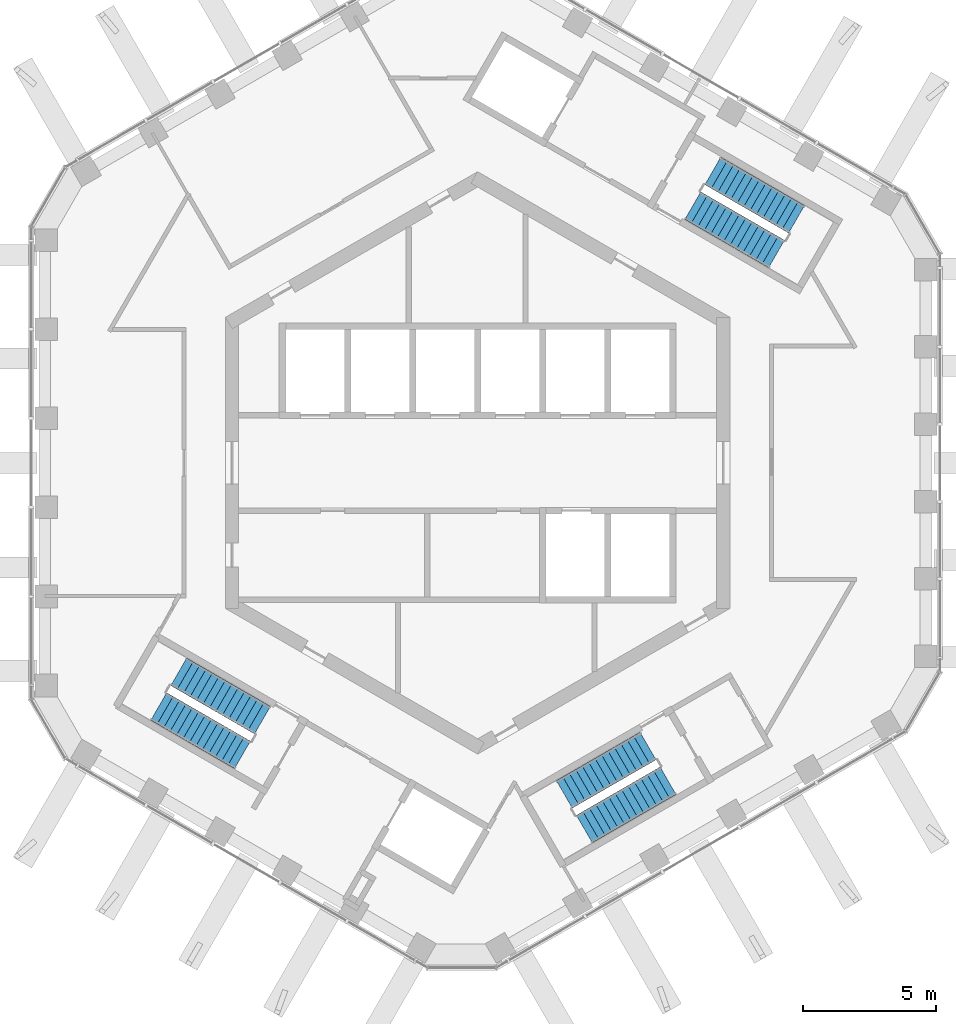
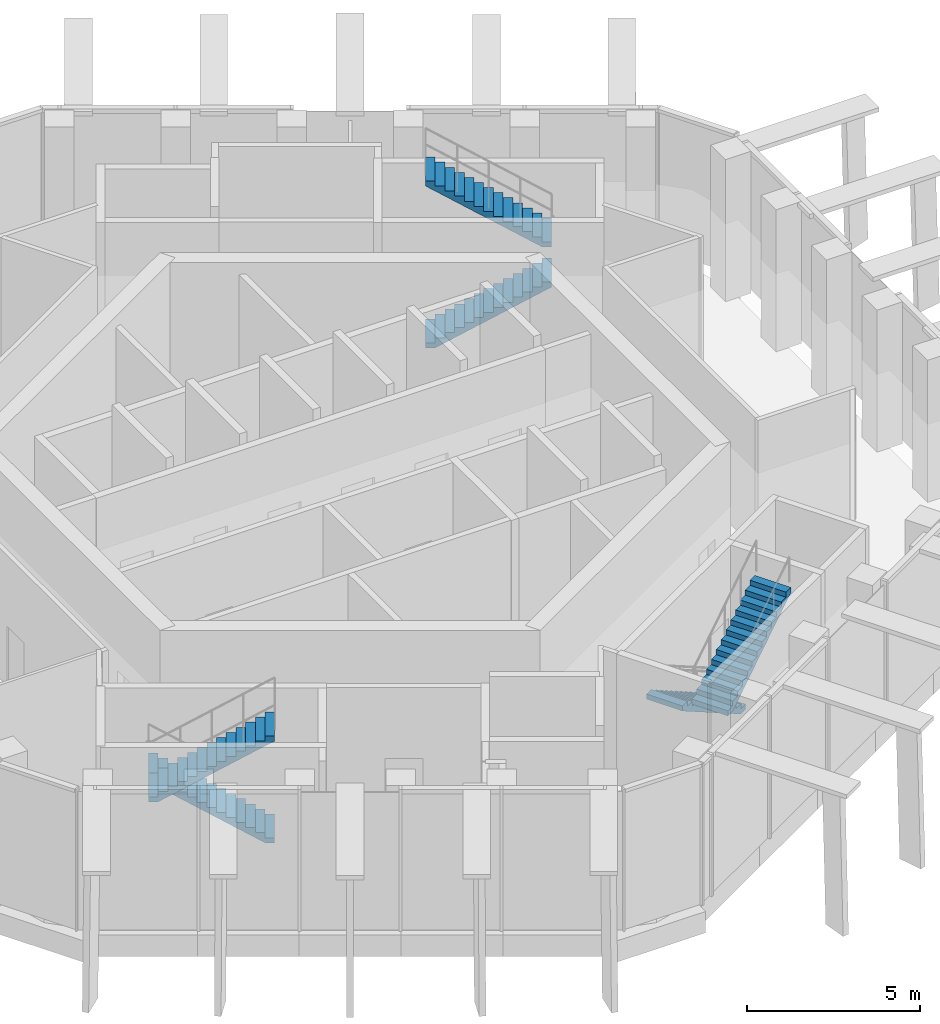
# One storey, part 14 of 17: 6 stair flights, 3 elements without a shape of their own.
"""IFC4 building model written with IfcOpenShell, lengths in metres."""

from ifc_helpers import new_model, si_unit, direction, frame, origin, place, context, subcontext, project, spatial, triangles, material, type_object, element, aggregate, save


model = new_model("IFC4")

# Units and contexts
model_context = context("Model", 3, precision=1e-05, world=origin(), true_north=direction((0.0, 1.0)))
body_context = subcontext(model_context, "Body", "Model", "MODEL_VIEW")
ifc_project = project(units=[si_unit("LENGTHUNIT", "METRE"), si_unit("AREAUNIT", "SQUARE_METRE"), si_unit("VOLUMEUNIT", "CUBIC_METRE"), si_unit("PLANEANGLEUNIT", "RADIAN"), si_unit("MASSUNIT", "GRAM", prefix="KILO")], contexts=[model_context])

# Site, building, storey
site_placement = place(None, origin())
site = spatial("IfcSite", under=ifc_project, at=site_placement, CompositionType="ELEMENT")
building_placement = place(site_placement, origin())
building = spatial("IfcBuilding", under=site, at=building_placement, Name="Ayvan Gate Tower", CompositionType="ELEMENT")
storey_placement = place(building_placement, frame((0.0, 0.0, 252.89990234375)))
storey = spatial("IfcBuildingStorey", under=building, at=storey_placement, Name="L68", CompositionType="ELEMENT", Elevation=252.89990234375)

# Stair, stair flights
ifc_material = material(Name="Concrete C40/50", Category="concrete")
stair_type = type_object("IfcStairType", Name="ST-EXIT", PredefinedType="HALF_TURN_STAIR", material=ifc_material)
stair_1_placement = place(storey_placement, origin())
stair_1 = element("IfcStair", 1, at=stair_1_placement, inside=storey, type_object=stair_type, Name="L68 Exit Stair S1", PredefinedType="HALF_TURN_STAIR")
stair_flight_type = type_object("IfcStairFlightType", Name="SFL-EXIT", PredefinedType="STRAIGHT", material=ifc_material)
stair_flight_1_placement = place(storey_placement, frame((8.106201171875, 9.690185546875, 0.0), z_axis=(0.0, 0.0, 1.0), x_axis=(0.866025403784, -0.5, 0.0)))
stair_flight_1 = element("IfcStairFlight", 2, at=stair_flight_1_placement, type_object=stair_flight_type, Name="STS1 flight 1", NumberOfRisers=14, NumberOfTreads=13, PredefinedType="STRAIGHT", RiserHeight=0.178571429, TreadLength=0.28, context=body_context, shape_type="Tessellation", body=[
    triangles([(0.278779, -0.599976, 0.0), (3.6405, -0.599976, 2.143955), (3.6405, -0.599976, 2.321429), (3.36, -0.599976, 2.321429), (3.36, -0.599976, 2.142857), (3.08, -0.599976, 2.142857), (3.08, -0.599976, 1.964286), (2.8, -0.599976, 1.964286), (2.8, -0.599976, 1.785714), (2.52, -0.599976, 1.785714), (2.52, -0.599976, 1.607143), (2.24, -0.599976, 1.607143), (2.24, -0.599976, 1.428571), (1.96, -0.599976, 1.428571), (1.96, -0.599976, 1.25), (1.68, -0.599976, 1.25), (1.68, -0.599976, 1.071429), (1.4, -0.599976, 1.071429), (1.4, -0.599976, 0.892857), (1.12, -0.599976, 0.892857), (1.12, -0.599976, 0.714286), (0.84, -0.599976, 0.714286), (0.84, -0.599976, 0.535714), (0.56, -0.599976, 0.535714), (0.56, -0.599976, 0.357143), (0.28, -0.599976, 0.357143), (0.28, -0.599976, 0.178571), (-0.0005, -0.599976, 0.178571), (-0.0005, -0.599976, 0.0), (0.278779, 0.0, 0.0), (3.6405, 0.0, 2.143955), (3.6405, 0.0, 2.321429), (3.36, 0.0, 2.321429), (3.36, 0.0, 2.142857), (3.08, 0.0, 2.142857), (3.08, 0.0, 1.964286), (2.8, 0.0, 1.964286), (2.8, 0.0, 1.785714), (2.52, 0.0, 1.785714), (2.52, 0.0, 1.607143), (2.24, 0.0, 1.607143), (2.24, 0.0, 1.428571), (1.96, 0.0, 1.428571), (1.96, 0.0, 1.25), (1.68, 0.0, 1.25), (1.68, 0.0, 1.071429), (1.4, 0.0, 1.071429), (1.4, 0.0, 0.892857), (1.12, 0.0, 0.892857), (1.12, 0.0, 0.714286), (0.84, 0.0, 0.714286), (0.84, 0.0, 0.535714), (0.56, 0.0, 0.535714), (0.56, 0.0, 0.357143), (0.28, 0.0, 0.357143), (0.28, 0.0, 0.178571), (-0.0005, 0.0, 0.178571), (-0.0005, 0.0, 0.0), (0.278779, 0.599976, 0.0), (3.6405, 0.599976, 2.143955), (3.6405, 0.599976, 2.321429), (3.36, 0.599976, 2.321429), (3.36, 0.599976, 2.142857), (3.08, 0.599976, 2.142857), (3.08, 0.599976, 1.964286), (2.8, 0.599976, 1.964286), (2.8, 0.599976, 1.785714), (2.52, 0.599976, 1.785714), (2.52, 0.599976, 1.607143), (2.24, 0.599976, 1.607143), (2.24, 0.599976, 1.428571), (1.96, 0.599976, 1.428571), (1.96, 0.599976, 1.25), (1.68, 0.599976, 1.25), (1.68, 0.599976, 1.071429), (1.4, 0.599976, 1.071429), (1.4, 0.599976, 0.892857), (1.12, 0.599976, 0.892857), (1.12, 0.599976, 0.714286), (0.84, 0.599976, 0.714286), (0.84, 0.599976, 0.535714), (0.56, 0.599976, 0.535714), (0.56, 0.599976, 0.357143), (0.28, 0.599976, 0.357143), (0.28, 0.599976, 0.178571), (-0.0005, 0.599976, 0.178571), (-0.0005, 0.599976, 0.0)], [[29, 1, 2], [87, 60, 59], [2, 3, 4], [60, 62, 61], [2, 4, 5], [60, 63, 62], [5, 6, 7], [63, 65, 64], [2, 5, 7], [60, 65, 63], [7, 8, 9], [65, 67, 66], [2, 7, 9], [60, 67, 65], [9, 10, 11], [67, 69, 68], [2, 9, 11], [60, 69, 67], [11, 12, 13], [69, 71, 70], [2, 11, 13], [60, 71, 69], [13, 14, 15], [71, 73, 72], [2, 13, 15], [60, 73, 71], [15, 16, 17], [73, 75, 74], [2, 15, 17], [60, 75, 73], [17, 18, 19], [75, 77, 76], [2, 17, 19], [60, 77, 75], [19, 20, 21], [77, 79, 78], [2, 19, 21], [60, 79, 77], [21, 22, 23], [79, 81, 80], [2, 21, 23], [60, 81, 79], [23, 24, 25], [81, 83, 82], [2, 23, 25], [60, 83, 81], [25, 26, 27], [83, 85, 84], [2, 25, 27], [60, 85, 83], [29, 2, 27], [87, 85, 60], [27, 28, 29], [85, 87, 86], [1, 30, 31], [1, 31, 2], [59, 31, 30], [59, 60, 31], [2, 31, 32], [2, 32, 3], [60, 32, 31], [60, 61, 32], [3, 32, 33], [3, 33, 4], [61, 33, 32], [61, 62, 33], [4, 33, 34], [4, 34, 5], [62, 34, 33], [62, 63, 34], [5, 34, 35], [5, 35, 6], [63, 35, 34], [63, 64, 35], [6, 35, 36], [6, 36, 7], [64, 36, 35], [64, 65, 36], [7, 36, 37], [7, 37, 8], [65, 37, 36], [65, 66, 37], [8, 37, 38], [8, 38, 9], [66, 38, 37], [66, 67, 38], [9, 38, 39], [9, 39, 10], [67, 39, 38], [67, 68, 39], [10, 39, 40], [10, 40, 11], [68, 40, 39], [68, 69, 40], [11, 40, 41], [11, 41, 12], [69, 41, 40], [69, 70, 41], [12, 41, 42], [12, 42, 13], [70, 42, 41], [70, 71, 42], [13, 42, 43], [13, 43, 14], [71, 43, 42], [71, 72, 43], [14, 43, 44], [14, 44, 15], [72, 44, 43], [72, 73, 44], [15, 44, 45], [15, 45, 16], [73, 45, 44], [73, 74, 45], [16, 45, 46], [16, 46, 17], [74, 46, 45], [74, 75, 46], [17, 46, 47], [17, 47, 18], [75, 47, 46], [75, 76, 47], [18, 47, 48], [18, 48, 19], [76, 48, 47], [76, 77, 48], [19, 48, 49], [19, 49, 20], [77, 49, 48], [77, 78, 49], [20, 49, 50], [20, 50, 21], [78, 50, 49], [78, 79, 50], [21, 50, 51], [21, 51, 22], [79, 51, 50], [79, 80, 51], [22, 51, 52], [22, 52, 23], [80, 52, 51], [80, 81, 52], [23, 52, 53], [23, 53, 24], [81, 53, 52], [81, 82, 53], [24, 53, 54], [24, 54, 25], [82, 54, 53], [82, 83, 54], [25, 54, 55], [25, 55, 26], [83, 55, 54], [83, 84, 55], [26, 55, 56], [26, 56, 27], [84, 56, 55], [84, 85, 56], [27, 56, 57], [27, 57, 28], [85, 57, 56], [85, 86, 57], [28, 57, 58], [28, 58, 29], [86, 58, 57], [86, 87, 58], [29, 58, 30], [29, 30, 1], [87, 30, 58], [87, 59, 30]], closed=True),
])
stair_flight_2_placement = place(storey_placement, frame((12.013427734375, 9.177978515625, 2.5), z_axis=(0.0, 0.0, 1.0), x_axis=(-0.866025403784, 0.5, 0.0)))
stair_flight_2 = element("IfcStairFlight", 3, at=stair_flight_2_placement, type_object=stair_flight_type, Name="STS1 flight 2", NumberOfRisers=14, NumberOfTreads=13, PredefinedType="STRAIGHT", RiserHeight=0.178571429, TreadLength=0.28, context=body_context, shape_type="Tessellation", body=[
    triangles([(0.278779, -0.599976, 0.0), (3.6405, -0.599976, 2.143955), (3.6405, -0.599976, 2.321429), (3.36, -0.599976, 2.321429), (3.36, -0.599976, 2.142857), (3.08, -0.599976, 2.142857), (3.08, -0.599976, 1.964286), (2.8, -0.599976, 1.964286), (2.8, -0.599976, 1.785714), (2.52, -0.599976, 1.785714), (2.52, -0.599976, 1.607143), (2.24, -0.599976, 1.607143), (2.24, -0.599976, 1.428571), (1.96, -0.599976, 1.428571), (1.96, -0.599976, 1.25), (1.68, -0.599976, 1.25), (1.68, -0.599976, 1.071429), (1.4, -0.599976, 1.071429), (1.4, -0.599976, 0.892857), (1.12, -0.599976, 0.892857), (1.12, -0.599976, 0.714286), (0.84, -0.599976, 0.714286), (0.84, -0.599976, 0.535714), (0.56, -0.599976, 0.535714), (0.56, -0.599976, 0.357143), (0.28, -0.599976, 0.357143), (0.28, -0.599976, 0.178571), (-0.0005, -0.599976, 0.178571), (-0.0005, -0.599976, 0.0), (0.278779, 0.0, 0.0), (3.6405, 0.0, 2.143955), (3.6405, 0.0, 2.321429), (3.36, 0.0, 2.321429), (3.36, 0.0, 2.142857), (3.08, 0.0, 2.142857), (3.08, 0.0, 1.964286), (2.8, 0.0, 1.964286), (2.8, 0.0, 1.785714), (2.52, 0.0, 1.785714), (2.52, 0.0, 1.607143), (2.24, 0.0, 1.607143), (2.24, 0.0, 1.428571), (1.96, 0.0, 1.428571), (1.96, 0.0, 1.25), (1.68, 0.0, 1.25), (1.68, 0.0, 1.071429), (1.4, 0.0, 1.071429), (1.4, 0.0, 0.892857), (1.12, 0.0, 0.892857), (1.12, 0.0, 0.714286), (0.84, 0.0, 0.714286), (0.84, 0.0, 0.535714), (0.56, 0.0, 0.535714), (0.56, 0.0, 0.357143), (0.28, 0.0, 0.357143), (0.28, 0.0, 0.178571), (-0.0005, 0.0, 0.178571), (-0.0005, 0.0, 0.0), (0.278779, 0.599976, 0.0), (3.6405, 0.599976, 2.143955), (3.6405, 0.599976, 2.321429), (3.36, 0.599976, 2.321429), (3.36, 0.599976, 2.142857), (3.08, 0.599976, 2.142857), (3.08, 0.599976, 1.964286), (2.8, 0.599976, 1.964286), (2.8, 0.599976, 1.785714), (2.52, 0.599976, 1.785714), (2.52, 0.599976, 1.607143), (2.24, 0.599976, 1.607143), (2.24, 0.599976, 1.428571), (1.96, 0.599976, 1.428571), (1.96, 0.599976, 1.25), (1.68, 0.599976, 1.25), (1.68, 0.599976, 1.071429), (1.4, 0.599976, 1.071429), (1.4, 0.599976, 0.892857), (1.12, 0.599976, 0.892857), (1.12, 0.599976, 0.714286), (0.84, 0.599976, 0.714286), (0.84, 0.599976, 0.535714), (0.56, 0.599976, 0.535714), (0.56, 0.599976, 0.357143), (0.28, 0.599976, 0.357143), (0.28, 0.599976, 0.178571), (-0.0005, 0.599976, 0.178571), (-0.0005, 0.599976, 0.0)], [[29, 1, 2], [87, 60, 59], [2, 3, 4], [60, 62, 61], [2, 4, 5], [60, 63, 62], [5, 6, 7], [63, 65, 64], [2, 5, 7], [60, 65, 63], [7, 8, 9], [65, 67, 66], [2, 7, 9], [60, 67, 65], [9, 10, 11], [67, 69, 68], [2, 9, 11], [60, 69, 67], [11, 12, 13], [69, 71, 70], [2, 11, 13], [60, 71, 69], [13, 14, 15], [71, 73, 72], [2, 13, 15], [60, 73, 71], [15, 16, 17], [73, 75, 74], [2, 15, 17], [60, 75, 73], [17, 18, 19], [75, 77, 76], [2, 17, 19], [60, 77, 75], [19, 20, 21], [77, 79, 78], [2, 19, 21], [60, 79, 77], [21, 22, 23], [79, 81, 80], [2, 21, 23], [60, 81, 79], [23, 24, 25], [81, 83, 82], [2, 23, 25], [60, 83, 81], [25, 26, 27], [83, 85, 84], [2, 25, 27], [60, 85, 83], [29, 2, 27], [87, 85, 60], [27, 28, 29], [85, 87, 86], [1, 30, 31], [1, 31, 2], [59, 31, 30], [59, 60, 31], [2, 31, 32], [2, 32, 3], [60, 32, 31], [60, 61, 32], [3, 32, 33], [3, 33, 4], [61, 33, 32], [61, 62, 33], [4, 33, 34], [4, 34, 5], [62, 34, 33], [62, 63, 34], [5, 34, 35], [5, 35, 6], [63, 35, 34], [63, 64, 35], [6, 35, 36], [6, 36, 7], [64, 36, 35], [64, 65, 36], [7, 36, 37], [7, 37, 8], [65, 37, 36], [65, 66, 37], [8, 37, 38], [8, 38, 9], [66, 38, 37], [66, 67, 38], [9, 38, 39], [9, 39, 10], [67, 39, 38], [67, 68, 39], [10, 39, 40], [10, 40, 11], [68, 40, 39], [68, 69, 40], [11, 40, 41], [11, 41, 12], [69, 41, 40], [69, 70, 41], [12, 41, 42], [12, 42, 13], [70, 42, 41], [70, 71, 42], [13, 42, 43], [13, 43, 14], [71, 43, 42], [71, 72, 43], [14, 43, 44], [14, 44, 15], [72, 44, 43], [72, 73, 44], [15, 44, 45], [15, 45, 16], [73, 45, 44], [73, 74, 45], [16, 45, 46], [16, 46, 17], [74, 46, 45], [74, 75, 46], [17, 46, 47], [17, 47, 18], [75, 47, 46], [75, 76, 47], [18, 47, 48], [18, 48, 19], [76, 48, 47], [76, 77, 48], [19, 48, 49], [19, 49, 20], [77, 49, 48], [77, 78, 49], [20, 49, 50], [20, 50, 21], [78, 50, 49], [78, 79, 50], [21, 50, 51], [21, 51, 22], [79, 51, 50], [79, 80, 51], [22, 51, 52], [22, 52, 23], [80, 52, 51], [80, 81, 52], [23, 52, 53], [23, 53, 24], [81, 53, 52], [81, 82, 53], [24, 53, 54], [24, 54, 25], [82, 54, 53], [82, 83, 54], [25, 54, 55], [25, 55, 26], [83, 55, 54], [83, 84, 55], [26, 55, 56], [26, 56, 27], [84, 56, 55], [84, 85, 56], [27, 56, 57], [27, 57, 28], [85, 57, 56], [85, 86, 57], [28, 57, 58], [28, 58, 29], [86, 58, 57], [86, 87, 58], [29, 58, 30], [29, 30, 1], [87, 30, 58], [87, 59, 30]], closed=True),
])
aggregate(stair_1, [stair_flight_1, stair_flight_2])

stair_2_placement = place(storey_placement, origin())
stair_2 = element("IfcStair", 4, at=stair_2_placement, inside=storey, type_object=stair_type, Name="L68 Exit Stair S2", PredefinedType="HALF_TURN_STAIR")
stair_flight_3_placement = place(storey_placement, frame((-8.106201171875, -9.690185546875, 0.0), z_axis=(0.0, 0.0, 1.0), x_axis=(-0.866025403784, 0.5, 0.0)))
stair_flight_3 = element("IfcStairFlight", 5, at=stair_flight_3_placement, type_object=stair_flight_type, Name="STS2 flight 1", NumberOfRisers=14, NumberOfTreads=13, PredefinedType="STRAIGHT", RiserHeight=0.178571429, TreadLength=0.28, context=body_context, shape_type="Tessellation", body=[
    triangles([(0.278779, -0.599976, 0.0), (3.6405, -0.599976, 2.143955), (3.6405, -0.599976, 2.321429), (3.36, -0.599976, 2.321429), (3.36, -0.599976, 2.142857), (3.08, -0.599976, 2.142857), (3.08, -0.599976, 1.964286), (2.8, -0.599976, 1.964286), (2.8, -0.599976, 1.785714), (2.52, -0.599976, 1.785714), (2.52, -0.599976, 1.607143), (2.24, -0.599976, 1.607143), (2.24, -0.599976, 1.428571), (1.96, -0.599976, 1.428571), (1.96, -0.599976, 1.25), (1.68, -0.599976, 1.25), (1.68, -0.599976, 1.071429), (1.4, -0.599976, 1.071429), (1.4, -0.599976, 0.892857), (1.12, -0.599976, 0.892857), (1.12, -0.599976, 0.714286), (0.84, -0.599976, 0.714286), (0.84, -0.599976, 0.535714), (0.56, -0.599976, 0.535714), (0.56, -0.599976, 0.357143), (0.28, -0.599976, 0.357143), (0.28, -0.599976, 0.178571), (-0.0005, -0.599976, 0.178571), (-0.0005, -0.599976, 0.0), (0.278779, 0.0, 0.0), (3.6405, 0.0, 2.143955), (3.6405, 0.0, 2.321429), (3.36, 0.0, 2.321429), (3.36, 0.0, 2.142857), (3.08, 0.0, 2.142857), (3.08, 0.0, 1.964286), (2.8, 0.0, 1.964286), (2.8, 0.0, 1.785714), (2.52, 0.0, 1.785714), (2.52, 0.0, 1.607143), (2.24, 0.0, 1.607143), (2.24, 0.0, 1.428571), (1.96, 0.0, 1.428571), (1.96, 0.0, 1.25), (1.68, 0.0, 1.25), (1.68, 0.0, 1.071429), (1.4, 0.0, 1.071429), (1.4, 0.0, 0.892857), (1.12, 0.0, 0.892857), (1.12, 0.0, 0.714286), (0.84, 0.0, 0.714286), (0.84, 0.0, 0.535714), (0.56, 0.0, 0.535714), (0.56, 0.0, 0.357143), (0.28, 0.0, 0.357143), (0.28, 0.0, 0.178571), (-0.0005, 0.0, 0.178571), (-0.0005, 0.0, 0.0), (0.278779, 0.599976, 0.0), (3.6405, 0.599976, 2.143955), (3.6405, 0.599976, 2.321429), (3.36, 0.599976, 2.321429), (3.36, 0.599976, 2.142857), (3.08, 0.599976, 2.142857), (3.08, 0.599976, 1.964286), (2.8, 0.599976, 1.964286), (2.8, 0.599976, 1.785714), (2.52, 0.599976, 1.785714), (2.52, 0.599976, 1.607143), (2.24, 0.599976, 1.607143), (2.24, 0.599976, 1.428571), (1.96, 0.599976, 1.428571), (1.96, 0.599976, 1.25), (1.68, 0.599976, 1.25), (1.68, 0.599976, 1.071429), (1.4, 0.599976, 1.071429), (1.4, 0.599976, 0.892857), (1.12, 0.599976, 0.892857), (1.12, 0.599976, 0.714286), (0.84, 0.599976, 0.714286), (0.84, 0.599976, 0.535714), (0.56, 0.599976, 0.535714), (0.56, 0.599976, 0.357143), (0.28, 0.599976, 0.357143), (0.28, 0.599976, 0.178571), (-0.0005, 0.599976, 0.178571), (-0.0005, 0.599976, 0.0)], [[29, 1, 2], [87, 60, 59], [2, 3, 4], [60, 62, 61], [2, 4, 5], [60, 63, 62], [5, 6, 7], [63, 65, 64], [2, 5, 7], [60, 65, 63], [7, 8, 9], [65, 67, 66], [2, 7, 9], [60, 67, 65], [9, 10, 11], [67, 69, 68], [2, 9, 11], [60, 69, 67], [11, 12, 13], [69, 71, 70], [2, 11, 13], [60, 71, 69], [13, 14, 15], [71, 73, 72], [2, 13, 15], [60, 73, 71], [15, 16, 17], [73, 75, 74], [2, 15, 17], [60, 75, 73], [17, 18, 19], [75, 77, 76], [2, 17, 19], [60, 77, 75], [19, 20, 21], [77, 79, 78], [2, 19, 21], [60, 79, 77], [21, 22, 23], [79, 81, 80], [2, 21, 23], [60, 81, 79], [23, 24, 25], [81, 83, 82], [2, 23, 25], [60, 83, 81], [25, 26, 27], [83, 85, 84], [2, 25, 27], [60, 85, 83], [29, 2, 27], [87, 85, 60], [27, 28, 29], [85, 87, 86], [1, 30, 31], [1, 31, 2], [59, 31, 30], [59, 60, 31], [2, 31, 32], [2, 32, 3], [60, 32, 31], [60, 61, 32], [3, 32, 33], [3, 33, 4], [61, 33, 32], [61, 62, 33], [4, 33, 34], [4, 34, 5], [62, 34, 33], [62, 63, 34], [5, 34, 35], [5, 35, 6], [63, 35, 34], [63, 64, 35], [6, 35, 36], [6, 36, 7], [64, 36, 35], [64, 65, 36], [7, 36, 37], [7, 37, 8], [65, 37, 36], [65, 66, 37], [8, 37, 38], [8, 38, 9], [66, 38, 37], [66, 67, 38], [9, 38, 39], [9, 39, 10], [67, 39, 38], [67, 68, 39], [10, 39, 40], [10, 40, 11], [68, 40, 39], [68, 69, 40], [11, 40, 41], [11, 41, 12], [69, 41, 40], [69, 70, 41], [12, 41, 42], [12, 42, 13], [70, 42, 41], [70, 71, 42], [13, 42, 43], [13, 43, 14], [71, 43, 42], [71, 72, 43], [14, 43, 44], [14, 44, 15], [72, 44, 43], [72, 73, 44], [15, 44, 45], [15, 45, 16], [73, 45, 44], [73, 74, 45], [16, 45, 46], [16, 46, 17], [74, 46, 45], [74, 75, 46], [17, 46, 47], [17, 47, 18], [75, 47, 46], [75, 76, 47], [18, 47, 48], [18, 48, 19], [76, 48, 47], [76, 77, 48], [19, 48, 49], [19, 49, 20], [77, 49, 48], [77, 78, 49], [20, 49, 50], [20, 50, 21], [78, 50, 49], [78, 79, 50], [21, 50, 51], [21, 51, 22], [79, 51, 50], [79, 80, 51], [22, 51, 52], [22, 52, 23], [80, 52, 51], [80, 81, 52], [23, 52, 53], [23, 53, 24], [81, 53, 52], [81, 82, 53], [24, 53, 54], [24, 54, 25], [82, 54, 53], [82, 83, 54], [25, 54, 55], [25, 55, 26], [83, 55, 54], [83, 84, 55], [26, 55, 56], [26, 56, 27], [84, 56, 55], [84, 85, 56], [27, 56, 57], [27, 57, 28], [85, 57, 56], [85, 86, 57], [28, 57, 58], [28, 58, 29], [86, 58, 57], [86, 87, 58], [29, 58, 30], [29, 30, 1], [87, 30, 58], [87, 59, 30]], closed=True),
])
stair_flight_4_placement = place(storey_placement, frame((-12.013427734375, -9.177978515625, 2.5), z_axis=(0.0, 0.0, 1.0), x_axis=(0.866025403784, -0.5, 0.0)))
stair_flight_4 = element("IfcStairFlight", 6, at=stair_flight_4_placement, type_object=stair_flight_type, Name="STS2 flight 2", NumberOfRisers=14, NumberOfTreads=13, PredefinedType="STRAIGHT", RiserHeight=0.178571429, TreadLength=0.28, context=body_context, shape_type="Tessellation", body=[
    triangles([(0.278779, -0.599976, 0.0), (3.6405, -0.599976, 2.143955), (3.6405, -0.599976, 2.321429), (3.36, -0.599976, 2.321429), (3.36, -0.599976, 2.142857), (3.08, -0.599976, 2.142857), (3.08, -0.599976, 1.964286), (2.8, -0.599976, 1.964286), (2.8, -0.599976, 1.785714), (2.52, -0.599976, 1.785714), (2.52, -0.599976, 1.607143), (2.24, -0.599976, 1.607143), (2.24, -0.599976, 1.428571), (1.96, -0.599976, 1.428571), (1.96, -0.599976, 1.25), (1.68, -0.599976, 1.25), (1.68, -0.599976, 1.071429), (1.4, -0.599976, 1.071429), (1.4, -0.599976, 0.892857), (1.12, -0.599976, 0.892857), (1.12, -0.599976, 0.714286), (0.84, -0.599976, 0.714286), (0.84, -0.599976, 0.535714), (0.56, -0.599976, 0.535714), (0.56, -0.599976, 0.357143), (0.28, -0.599976, 0.357143), (0.28, -0.599976, 0.178571), (-0.0005, -0.599976, 0.178571), (-0.0005, -0.599976, 0.0), (0.278779, 0.0, 0.0), (3.6405, 0.0, 2.143955), (3.6405, 0.0, 2.321429), (3.36, 0.0, 2.321429), (3.36, 0.0, 2.142857), (3.08, 0.0, 2.142857), (3.08, 0.0, 1.964286), (2.8, 0.0, 1.964286), (2.8, 0.0, 1.785714), (2.52, 0.0, 1.785714), (2.52, 0.0, 1.607143), (2.24, 0.0, 1.607143), (2.24, 0.0, 1.428571), (1.96, 0.0, 1.428571), (1.96, 0.0, 1.25), (1.68, 0.0, 1.25), (1.68, 0.0, 1.071429), (1.4, 0.0, 1.071429), (1.4, 0.0, 0.892857), (1.12, 0.0, 0.892857), (1.12, 0.0, 0.714286), (0.84, 0.0, 0.714286), (0.84, 0.0, 0.535714), (0.56, 0.0, 0.535714), (0.56, 0.0, 0.357143), (0.28, 0.0, 0.357143), (0.28, 0.0, 0.178571), (-0.0005, 0.0, 0.178571), (-0.0005, 0.0, 0.0), (0.278779, 0.599976, 0.0), (3.6405, 0.599976, 2.143955), (3.6405, 0.599976, 2.321429), (3.36, 0.599976, 2.321429), (3.36, 0.599976, 2.142857), (3.08, 0.599976, 2.142857), (3.08, 0.599976, 1.964286), (2.8, 0.599976, 1.964286), (2.8, 0.599976, 1.785714), (2.52, 0.599976, 1.785714), (2.52, 0.599976, 1.607143), (2.24, 0.599976, 1.607143), (2.24, 0.599976, 1.428571), (1.96, 0.599976, 1.428571), (1.96, 0.599976, 1.25), (1.68, 0.599976, 1.25), (1.68, 0.599976, 1.071429), (1.4, 0.599976, 1.071429), (1.4, 0.599976, 0.892857), (1.12, 0.599976, 0.892857), (1.12, 0.599976, 0.714286), (0.84, 0.599976, 0.714286), (0.84, 0.599976, 0.535714), (0.56, 0.599976, 0.535714), (0.56, 0.599976, 0.357143), (0.28, 0.599976, 0.357143), (0.28, 0.599976, 0.178571), (-0.0005, 0.599976, 0.178571), (-0.0005, 0.599976, 0.0)], [[29, 1, 2], [87, 60, 59], [2, 3, 4], [60, 62, 61], [2, 4, 5], [60, 63, 62], [5, 6, 7], [63, 65, 64], [2, 5, 7], [60, 65, 63], [7, 8, 9], [65, 67, 66], [2, 7, 9], [60, 67, 65], [9, 10, 11], [67, 69, 68], [2, 9, 11], [60, 69, 67], [11, 12, 13], [69, 71, 70], [2, 11, 13], [60, 71, 69], [13, 14, 15], [71, 73, 72], [2, 13, 15], [60, 73, 71], [15, 16, 17], [73, 75, 74], [2, 15, 17], [60, 75, 73], [17, 18, 19], [75, 77, 76], [2, 17, 19], [60, 77, 75], [19, 20, 21], [77, 79, 78], [2, 19, 21], [60, 79, 77], [21, 22, 23], [79, 81, 80], [2, 21, 23], [60, 81, 79], [23, 24, 25], [81, 83, 82], [2, 23, 25], [60, 83, 81], [25, 26, 27], [83, 85, 84], [2, 25, 27], [60, 85, 83], [29, 2, 27], [87, 85, 60], [27, 28, 29], [85, 87, 86], [1, 30, 31], [1, 31, 2], [59, 31, 30], [59, 60, 31], [2, 31, 32], [2, 32, 3], [60, 32, 31], [60, 61, 32], [3, 32, 33], [3, 33, 4], [61, 33, 32], [61, 62, 33], [4, 33, 34], [4, 34, 5], [62, 34, 33], [62, 63, 34], [5, 34, 35], [5, 35, 6], [63, 35, 34], [63, 64, 35], [6, 35, 36], [6, 36, 7], [64, 36, 35], [64, 65, 36], [7, 36, 37], [7, 37, 8], [65, 37, 36], [65, 66, 37], [8, 37, 38], [8, 38, 9], [66, 38, 37], [66, 67, 38], [9, 38, 39], [9, 39, 10], [67, 39, 38], [67, 68, 39], [10, 39, 40], [10, 40, 11], [68, 40, 39], [68, 69, 40], [11, 40, 41], [11, 41, 12], [69, 41, 40], [69, 70, 41], [12, 41, 42], [12, 42, 13], [70, 42, 41], [70, 71, 42], [13, 42, 43], [13, 43, 14], [71, 43, 42], [71, 72, 43], [14, 43, 44], [14, 44, 15], [72, 44, 43], [72, 73, 44], [15, 44, 45], [15, 45, 16], [73, 45, 44], [73, 74, 45], [16, 45, 46], [16, 46, 17], [74, 46, 45], [74, 75, 46], [17, 46, 47], [17, 47, 18], [75, 47, 46], [75, 76, 47], [18, 47, 48], [18, 48, 19], [76, 48, 47], [76, 77, 48], [19, 48, 49], [19, 49, 20], [77, 49, 48], [77, 78, 49], [20, 49, 50], [20, 50, 21], [78, 50, 49], [78, 79, 50], [21, 50, 51], [21, 51, 22], [79, 51, 50], [79, 80, 51], [22, 51, 52], [22, 52, 23], [80, 52, 51], [80, 81, 52], [23, 52, 53], [23, 53, 24], [81, 53, 52], [81, 82, 53], [24, 53, 54], [24, 54, 25], [82, 54, 53], [82, 83, 54], [25, 54, 55], [25, 55, 26], [83, 55, 54], [83, 84, 55], [26, 55, 56], [26, 56, 27], [84, 56, 55], [84, 85, 56], [27, 56, 57], [27, 57, 28], [85, 57, 56], [85, 86, 57], [28, 57, 58], [28, 58, 29], [86, 58, 57], [86, 87, 58], [29, 58, 30], [29, 30, 1], [87, 30, 58], [87, 59, 30]], closed=True),
])
aggregate(stair_2, [stair_flight_3, stair_flight_4])

stair_3_placement = place(storey_placement, origin())
stair_3 = element("IfcStair", 7, at=stair_3_placement, inside=storey, type_object=stair_type, Name="L68 Exit Stair S3", PredefinedType="HALF_TURN_STAIR")
stair_flight_5_placement = place(storey_placement, frame((6.417236328125, -10.665283203125, 0.0), z_axis=(0.0, 0.0, 1.0), x_axis=(-0.866025403784, -0.5, 0.0)))
stair_flight_5 = element("IfcStairFlight", 8, at=stair_flight_5_placement, type_object=stair_flight_type, Name="STS3 flight 1", NumberOfRisers=14, NumberOfTreads=13, PredefinedType="STRAIGHT", RiserHeight=0.178571429, TreadLength=0.28, context=body_context, shape_type="Tessellation", body=[
    triangles([(0.278779, -0.599976, 0.0), (3.6405, -0.599976, 2.143955), (3.6405, -0.599976, 2.321429), (3.36, -0.599976, 2.321429), (3.36, -0.599976, 2.142857), (3.08, -0.599976, 2.142857), (3.08, -0.599976, 1.964286), (2.8, -0.599976, 1.964286), (2.8, -0.599976, 1.785714), (2.52, -0.599976, 1.785714), (2.52, -0.599976, 1.607143), (2.24, -0.599976, 1.607143), (2.24, -0.599976, 1.428571), (1.96, -0.599976, 1.428571), (1.96, -0.599976, 1.25), (1.68, -0.599976, 1.25), (1.68, -0.599976, 1.071429), (1.4, -0.599976, 1.071429), (1.4, -0.599976, 0.892857), (1.12, -0.599976, 0.892857), (1.12, -0.599976, 0.714286), (0.84, -0.599976, 0.714286), (0.84, -0.599976, 0.535714), (0.56, -0.599976, 0.535714), (0.56, -0.599976, 0.357143), (0.28, -0.599976, 0.357143), (0.28, -0.599976, 0.178571), (-0.0005, -0.599976, 0.178571), (-0.0005, -0.599976, 0.0), (0.278779, 0.0, 0.0), (3.6405, 0.0, 2.143955), (3.6405, 0.0, 2.321429), (3.36, 0.0, 2.321429), (3.36, 0.0, 2.142857), (3.08, 0.0, 2.142857), (3.08, 0.0, 1.964286), (2.8, 0.0, 1.964286), (2.8, 0.0, 1.785714), (2.52, 0.0, 1.785714), (2.52, 0.0, 1.607143), (2.24, 0.0, 1.607143), (2.24, 0.0, 1.428571), (1.96, 0.0, 1.428571), (1.96, 0.0, 1.25), (1.68, 0.0, 1.25), (1.68, 0.0, 1.071429), (1.4, 0.0, 1.071429), (1.4, 0.0, 0.892857), (1.12, 0.0, 0.892857), (1.12, 0.0, 0.714286), (0.84, 0.0, 0.714286), (0.84, 0.0, 0.535714), (0.56, 0.0, 0.535714), (0.56, 0.0, 0.357143), (0.28, 0.0, 0.357143), (0.28, 0.0, 0.178571), (-0.0005, 0.0, 0.178571), (-0.0005, 0.0, 0.0), (0.278779, 0.599976, 0.0), (3.6405, 0.599976, 2.143955), (3.6405, 0.599976, 2.321429), (3.36, 0.599976, 2.321429), (3.36, 0.599976, 2.142857), (3.08, 0.599976, 2.142857), (3.08, 0.599976, 1.964286), (2.8, 0.599976, 1.964286), (2.8, 0.599976, 1.785714), (2.52, 0.599976, 1.785714), (2.52, 0.599976, 1.607143), (2.24, 0.599976, 1.607143), (2.24, 0.599976, 1.428571), (1.96, 0.599976, 1.428571), (1.96, 0.599976, 1.25), (1.68, 0.599976, 1.25), (1.68, 0.599976, 1.071429), (1.4, 0.599976, 1.071429), (1.4, 0.599976, 0.892857), (1.12, 0.599976, 0.892857), (1.12, 0.599976, 0.714286), (0.84, 0.599976, 0.714286), (0.84, 0.599976, 0.535714), (0.56, 0.599976, 0.535714), (0.56, 0.599976, 0.357143), (0.28, 0.599976, 0.357143), (0.28, 0.599976, 0.178571), (-0.0005, 0.599976, 0.178571), (-0.0005, 0.599976, 0.0)], [[29, 1, 2], [87, 60, 59], [2, 3, 4], [60, 62, 61], [2, 4, 5], [60, 63, 62], [5, 6, 7], [63, 65, 64], [2, 5, 7], [60, 65, 63], [7, 8, 9], [65, 67, 66], [2, 7, 9], [60, 67, 65], [9, 10, 11], [67, 69, 68], [2, 9, 11], [60, 69, 67], [11, 12, 13], [69, 71, 70], [2, 11, 13], [60, 71, 69], [13, 14, 15], [71, 73, 72], [2, 13, 15], [60, 73, 71], [15, 16, 17], [73, 75, 74], [2, 15, 17], [60, 75, 73], [17, 18, 19], [75, 77, 76], [2, 17, 19], [60, 77, 75], [19, 20, 21], [77, 79, 78], [2, 19, 21], [60, 79, 77], [21, 22, 23], [79, 81, 80], [2, 21, 23], [60, 81, 79], [23, 24, 25], [81, 83, 82], [2, 23, 25], [60, 83, 81], [25, 26, 27], [83, 85, 84], [2, 25, 27], [60, 85, 83], [29, 2, 27], [87, 85, 60], [27, 28, 29], [85, 87, 86], [1, 30, 31], [1, 31, 2], [59, 31, 30], [59, 60, 31], [2, 31, 32], [2, 32, 3], [60, 32, 31], [60, 61, 32], [3, 32, 33], [3, 33, 4], [61, 33, 32], [61, 62, 33], [4, 33, 34], [4, 34, 5], [62, 34, 33], [62, 63, 34], [5, 34, 35], [5, 35, 6], [63, 35, 34], [63, 64, 35], [6, 35, 36], [6, 36, 7], [64, 36, 35], [64, 65, 36], [7, 36, 37], [7, 37, 8], [65, 37, 36], [65, 66, 37], [8, 37, 38], [8, 38, 9], [66, 38, 37], [66, 67, 38], [9, 38, 39], [9, 39, 10], [67, 39, 38], [67, 68, 39], [10, 39, 40], [10, 40, 11], [68, 40, 39], [68, 69, 40], [11, 40, 41], [11, 41, 12], [69, 41, 40], [69, 70, 41], [12, 41, 42], [12, 42, 13], [70, 42, 41], [70, 71, 42], [13, 42, 43], [13, 43, 14], [71, 43, 42], [71, 72, 43], [14, 43, 44], [14, 44, 15], [72, 44, 43], [72, 73, 44], [15, 44, 45], [15, 45, 16], [73, 45, 44], [73, 74, 45], [16, 45, 46], [16, 46, 17], [74, 46, 45], [74, 75, 46], [17, 46, 47], [17, 47, 18], [75, 47, 46], [75, 76, 47], [18, 47, 48], [18, 48, 19], [76, 48, 47], [76, 77, 48], [19, 48, 49], [19, 49, 20], [77, 49, 48], [77, 78, 49], [20, 49, 50], [20, 50, 21], [78, 50, 49], [78, 79, 50], [21, 50, 51], [21, 51, 22], [79, 51, 50], [79, 80, 51], [22, 51, 52], [22, 52, 23], [80, 52, 51], [80, 81, 52], [23, 52, 53], [23, 53, 24], [81, 53, 52], [81, 82, 53], [24, 53, 54], [24, 54, 25], [82, 54, 53], [82, 83, 54], [25, 54, 55], [25, 55, 26], [83, 55, 54], [83, 84, 55], [26, 55, 56], [26, 56, 27], [84, 56, 55], [84, 85, 56], [27, 56, 57], [27, 57, 28], [85, 57, 56], [85, 86, 57], [28, 57, 58], [28, 58, 29], [86, 58, 57], [86, 87, 58], [29, 58, 30], [29, 30, 1], [87, 30, 58], [87, 59, 30]], closed=True),
])
stair_flight_6_placement = place(storey_placement, frame((4.02001953125, -13.79296875, 2.5), z_axis=(0.0, 0.0, 1.0), x_axis=(0.866025403784, 0.5, 0.0)))
stair_flight_6 = element("IfcStairFlight", 9, at=stair_flight_6_placement, type_object=stair_flight_type, Name="STS3 flight 2", NumberOfRisers=14, NumberOfTreads=13, PredefinedType="STRAIGHT", RiserHeight=0.178571429, TreadLength=0.28, context=body_context, shape_type="Tessellation", body=[
    triangles([(0.278779, -0.599976, 0.0), (3.6405, -0.599976, 2.143955), (3.6405, -0.599976, 2.321429), (3.36, -0.599976, 2.321429), (3.36, -0.599976, 2.142857), (3.08, -0.599976, 2.142857), (3.08, -0.599976, 1.964286), (2.8, -0.599976, 1.964286), (2.8, -0.599976, 1.785714), (2.52, -0.599976, 1.785714), (2.52, -0.599976, 1.607143), (2.24, -0.599976, 1.607143), (2.24, -0.599976, 1.428571), (1.96, -0.599976, 1.428571), (1.96, -0.599976, 1.25), (1.68, -0.599976, 1.25), (1.68, -0.599976, 1.071429), (1.4, -0.599976, 1.071429), (1.4, -0.599976, 0.892857), (1.12, -0.599976, 0.892857), (1.12, -0.599976, 0.714286), (0.84, -0.599976, 0.714286), (0.84, -0.599976, 0.535714), (0.56, -0.599976, 0.535714), (0.56, -0.599976, 0.357143), (0.28, -0.599976, 0.357143), (0.28, -0.599976, 0.178571), (-0.0005, -0.599976, 0.178571), (-0.0005, -0.599976, 0.0), (0.278779, 0.0, 0.0), (3.6405, 0.0, 2.143955), (3.6405, 0.0, 2.321429), (3.36, 0.0, 2.321429), (3.36, 0.0, 2.142857), (3.08, 0.0, 2.142857), (3.08, 0.0, 1.964286), (2.8, 0.0, 1.964286), (2.8, 0.0, 1.785714), (2.52, 0.0, 1.785714), (2.52, 0.0, 1.607143), (2.24, 0.0, 1.607143), (2.24, 0.0, 1.428571), (1.96, 0.0, 1.428571), (1.96, 0.0, 1.25), (1.68, 0.0, 1.25), (1.68, 0.0, 1.071429), (1.4, 0.0, 1.071429), (1.4, 0.0, 0.892857), (1.12, 0.0, 0.892857), (1.12, 0.0, 0.714286), (0.84, 0.0, 0.714286), (0.84, 0.0, 0.535714), (0.56, 0.0, 0.535714), (0.56, 0.0, 0.357143), (0.28, 0.0, 0.357143), (0.28, 0.0, 0.178571), (-0.0005, 0.0, 0.178571), (-0.0005, 0.0, 0.0), (0.278779, 0.599976, 0.0), (3.6405, 0.599976, 2.143955), (3.6405, 0.599976, 2.321429), (3.36, 0.599976, 2.321429), (3.36, 0.599976, 2.142857), (3.08, 0.599976, 2.142857), (3.08, 0.599976, 1.964286), (2.8, 0.599976, 1.964286), (2.8, 0.599976, 1.785714), (2.52, 0.599976, 1.785714), (2.52, 0.599976, 1.607143), (2.24, 0.599976, 1.607143), (2.24, 0.599976, 1.428571), (1.96, 0.599976, 1.428571), (1.96, 0.599976, 1.25), (1.68, 0.599976, 1.25), (1.68, 0.599976, 1.071429), (1.4, 0.599976, 1.071429), (1.4, 0.599976, 0.892857), (1.12, 0.599976, 0.892857), (1.12, 0.599976, 0.714286), (0.84, 0.599976, 0.714286), (0.84, 0.599976, 0.535714), (0.56, 0.599976, 0.535714), (0.56, 0.599976, 0.357143), (0.28, 0.599976, 0.357143), (0.28, 0.599976, 0.178571), (-0.0005, 0.599976, 0.178571), (-0.0005, 0.599976, 0.0)], [[29, 1, 2], [87, 60, 59], [2, 3, 4], [60, 62, 61], [2, 4, 5], [60, 63, 62], [5, 6, 7], [63, 65, 64], [2, 5, 7], [60, 65, 63], [7, 8, 9], [65, 67, 66], [2, 7, 9], [60, 67, 65], [9, 10, 11], [67, 69, 68], [2, 9, 11], [60, 69, 67], [11, 12, 13], [69, 71, 70], [2, 11, 13], [60, 71, 69], [13, 14, 15], [71, 73, 72], [2, 13, 15], [60, 73, 71], [15, 16, 17], [73, 75, 74], [2, 15, 17], [60, 75, 73], [17, 18, 19], [75, 77, 76], [2, 17, 19], [60, 77, 75], [19, 20, 21], [77, 79, 78], [2, 19, 21], [60, 79, 77], [21, 22, 23], [79, 81, 80], [2, 21, 23], [60, 81, 79], [23, 24, 25], [81, 83, 82], [2, 23, 25], [60, 83, 81], [25, 26, 27], [83, 85, 84], [2, 25, 27], [60, 85, 83], [29, 2, 27], [87, 85, 60], [27, 28, 29], [85, 87, 86], [1, 30, 31], [1, 31, 2], [59, 31, 30], [59, 60, 31], [2, 31, 32], [2, 32, 3], [60, 32, 31], [60, 61, 32], [3, 32, 33], [3, 33, 4], [61, 33, 32], [61, 62, 33], [4, 33, 34], [4, 34, 5], [62, 34, 33], [62, 63, 34], [5, 34, 35], [5, 35, 6], [63, 35, 34], [63, 64, 35], [6, 35, 36], [6, 36, 7], [64, 36, 35], [64, 65, 36], [7, 36, 37], [7, 37, 8], [65, 37, 36], [65, 66, 37], [8, 37, 38], [8, 38, 9], [66, 38, 37], [66, 67, 38], [9, 38, 39], [9, 39, 10], [67, 39, 38], [67, 68, 39], [10, 39, 40], [10, 40, 11], [68, 40, 39], [68, 69, 40], [11, 40, 41], [11, 41, 12], [69, 41, 40], [69, 70, 41], [12, 41, 42], [12, 42, 13], [70, 42, 41], [70, 71, 42], [13, 42, 43], [13, 43, 14], [71, 43, 42], [71, 72, 43], [14, 43, 44], [14, 44, 15], [72, 44, 43], [72, 73, 44], [15, 44, 45], [15, 45, 16], [73, 45, 44], [73, 74, 45], [16, 45, 46], [16, 46, 17], [74, 46, 45], [74, 75, 46], [17, 46, 47], [17, 47, 18], [75, 47, 46], [75, 76, 47], [18, 47, 48], [18, 48, 19], [76, 48, 47], [76, 77, 48], [19, 48, 49], [19, 49, 20], [77, 49, 48], [77, 78, 49], [20, 49, 50], [20, 50, 21], [78, 50, 49], [78, 79, 50], [21, 50, 51], [21, 51, 22], [79, 51, 50], [79, 80, 51], [22, 51, 52], [22, 52, 23], [80, 52, 51], [80, 81, 52], [23, 52, 53], [23, 53, 24], [81, 53, 52], [81, 82, 53], [24, 53, 54], [24, 54, 25], [82, 54, 53], [82, 83, 54], [25, 54, 55], [25, 55, 26], [83, 55, 54], [83, 84, 55], [26, 55, 56], [26, 56, 27], [84, 56, 55], [84, 85, 56], [27, 56, 57], [27, 57, 28], [85, 57, 56], [85, 86, 57], [28, 57, 58], [28, 58, 29], [86, 58, 57], [86, 87, 58], [29, 58, 30], [29, 30, 1], [87, 30, 58], [87, 59, 30]], closed=True),
])
aggregate(stair_3, [stair_flight_5, stair_flight_6])

save(model, "model.ifc")
